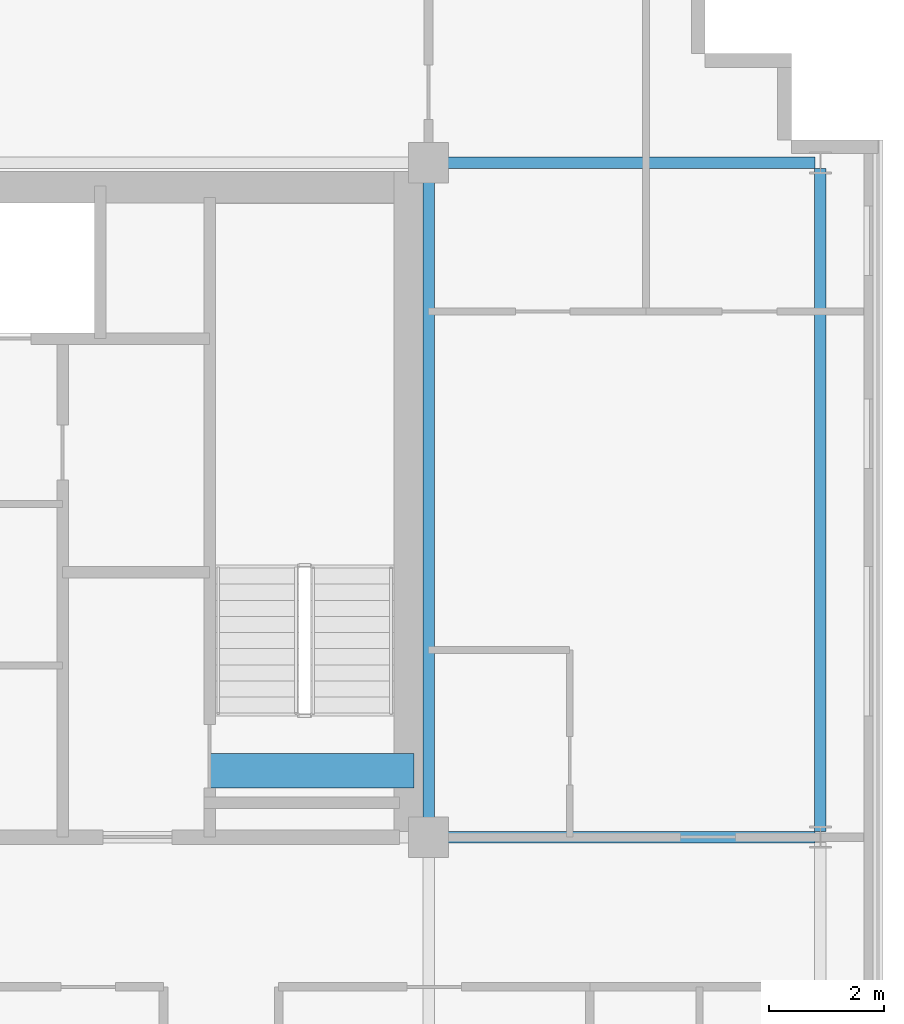
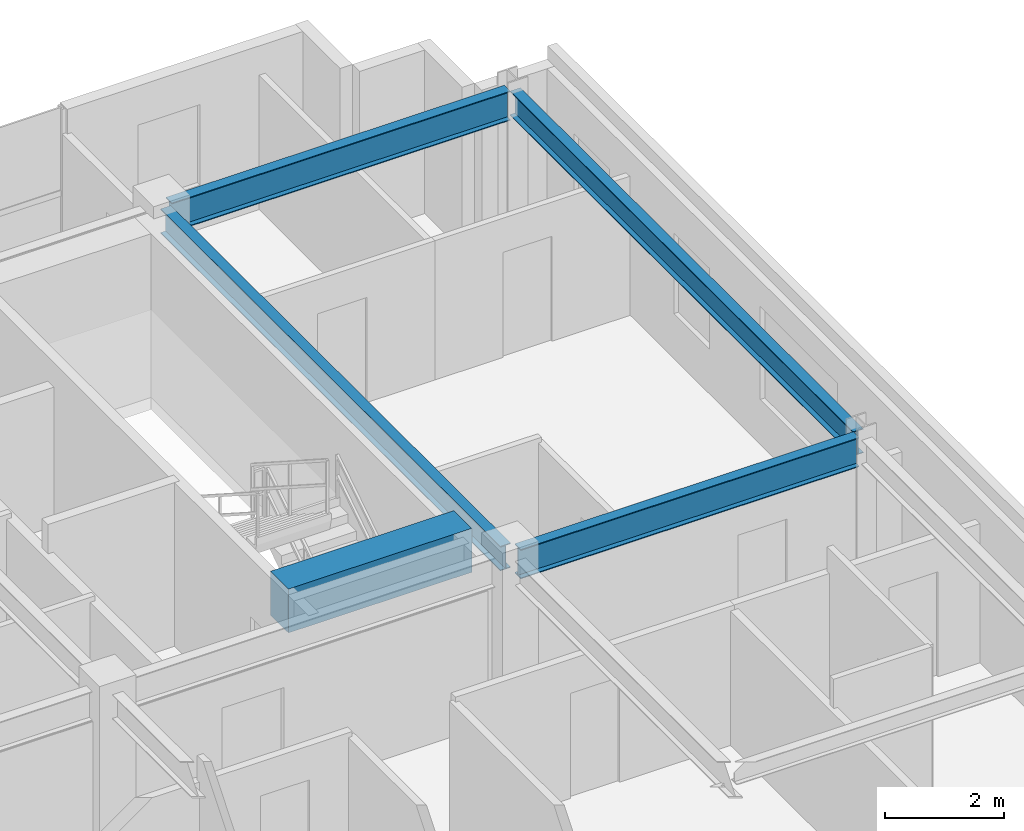
# One storey, part 11 of 21: 5 beams.
"""IFC4 building model written with IfcOpenShell, lengths in metres."""

from ifc_helpers import new_model, si_unit, direction, frame, origin, origin_2d, place, context, subcontext, project, spatial, rectangle, i_section, extrude, source, transform, mapped, material, material_profile, profile_set, type_object, element, save


model = new_model("IFC4")

# Units and contexts
model_context = context("Model", 3, precision=1e-05, world=origin(), true_north=direction((0.0, 1.0)))
body_context = subcontext(model_context, "Body", "Model", "MODEL_VIEW")
ifc_project = project(units=[si_unit("LENGTHUNIT", "METRE"), si_unit("AREAUNIT", "SQUARE_METRE"), si_unit("VOLUMEUNIT", "CUBIC_METRE"), si_unit("PLANEANGLEUNIT", "RADIAN"), si_unit("MASSUNIT", "GRAM", prefix="KILO")], contexts=[model_context])

# Site, building, storey
site_placement = place(None, origin())
site = spatial("IfcSite", under=ifc_project, at=site_placement, CompositionType="ELEMENT")
building_placement = place(site_placement, origin())
building = spatial("IfcBuilding", under=site, at=building_placement, Name="Trelvane Seafront Commons", CompositionType="ELEMENT")
storey_placement = place(building_placement, frame((0.0, 0.0, 153.699951171875)))
storey = spatial("IfcBuildingStorey", under=building, at=storey_placement, Name="L40", CompositionType="ELEMENT", Elevation=153.699951171875)

# Beams
ifc_material_1 = material(Name="Concrete C60/75", Category="concrete")
ifc_material_profile_1 = material_profile(ifc_material_1, rectangle(XDim=0.60009765625, YDim=0.89990234375, at=origin_2d()), Name="RC-600x900")
ifc_profile_set_1 = profile_set([ifc_material_profile_1], Name="Concrete C60/75")
beam_type_1 = type_object("IfcBeamType", Name="STR-LNT-RC600x900", PredefinedType="LINTEL", material=ifc_profile_set_1)
shared_shape_1 = source(origin(), body_context, "Body", "SweptSolid", [
    extrude(rectangle(XDim=0.60009765625, YDim=0.89990234375, at=origin_2d()), origin(), (0.0, 0.0, 1.0), 3.550048828125),
])
beam_1_placement = place(storey_placement, frame((55.0, 34.550048828125, 2.900146484375), z_axis=(1.0, 0.0, 0.0), x_axis=(0.0, 1.0, 0.0)))
element("IfcBeam", 1, at=beam_1_placement, inside=storey, type_object=beam_type_1, Name="L40 Core Coupling Lintel Beam CB-68", PredefinedType="LINTEL", context=body_context, shape_type="MappedRepresentation", body=[
    mapped(shared_shape_1, transform((0.0, 0.0, 0.0), x_axis=(1.0, 0.0, 0.0), y_axis=(0.0, 1.0, 0.0), z_axis=(0.0, 0.0, 1.0), scale=1.0)),
])
ifc_material_2 = material(Name="Steel SM355 (S355)", Category="steel")
ifc_material_profile_2 = material_profile(ifc_material_2, i_section(OverallWidth=0.199951171875, OverallDepth=0.5, WebThickness=0.010009765625, FlangeThickness=0.01611328125, at=origin_2d()), Name="H-500x200x10x16")
ifc_profile_set_2 = profile_set([ifc_material_profile_2], Name="Steel SM355 (S355)")
beam_type_2 = type_object("IfcBeamType", Name="STR-BM-H500", PredefinedType="BEAM", material=ifc_profile_set_2)
shared_shape_2 = source(origin(), body_context, "Body", "SweptSolid", [
    extrude(i_section(OverallWidth=0.199951171875, OverallDepth=0.5, WebThickness=0.010009765625, FlangeThickness=0.01611328125, at=origin_2d()), origin(), (0.0, 0.0, 1.0), 11.39990234375),
])
beam_2_placement = place(storey_placement, frame((58.800048828125, 33.550048828125, 3.10009765625), z_axis=(0.0, 1.0, 0.0), x_axis=(-1.0, 0.0, 0.0)))
element("IfcBeam", 2, at=beam_2_placement, inside=storey, type_object=beam_type_2, Name="L40 Primary Girder G-49", PredefinedType="BEAM", context=body_context, shape_type="MappedRepresentation", body=[
    mapped(shared_shape_2, transform((0.0, 0.0, 0.0), x_axis=(1.0, 0.0, 0.0), y_axis=(0.0, 1.0, 0.0), z_axis=(0.0, 0.0, 1.0), scale=1.0)),
])
ifc_material_profile_3 = material_profile(ifc_material_2, i_section(OverallWidth=0.199951171875, OverallDepth=0.60009765625, WebThickness=0.010986328125, FlangeThickness=0.01708984375, at=origin_2d()), Name="H-600x200x11x17")
ifc_profile_set_3 = profile_set([ifc_material_profile_3], Name="Steel SM355 (S355)")
beam_type_3 = type_object("IfcBeamType", Name="STR-SPD-H600", PredefinedType="SPANDREL", material=ifc_profile_set_3)
shared_shape_3 = source(origin(), body_context, "Body", "SweptSolid", [
    extrude(i_section(OverallWidth=0.199951171875, OverallDepth=0.60009765625, WebThickness=0.010986328125, FlangeThickness=0.01708984375, at=origin_2d()), origin(), (0.0, 0.0, 1.0), 6.554931640625),
])
for number, where, z_axis, x_axis, name in (
    (3, (58.949951171875, 33.39990234375, 3.050048828125), (1.0, 0.0, 0.0), (0.0, 1.0, 0.0), "L40 Primary Girder G-21"),
    (4, (58.949951171875, 45.10009765625, 3.050048828125), (1.0, 0.0, 0.0), (0.0, 1.0, 0.0), "L40 Primary Girder G-28"),
):
    element("IfcBeam", number, at=place(storey_placement, frame(where, z_axis=z_axis, x_axis=x_axis)), inside=storey, type_object=beam_type_3, Name=name, PredefinedType="SPANDREL", context=body_context, shape_type="MappedRepresentation", body=[
        mapped(shared_shape_3, transform((0.0, 0.0, 0.0), x_axis=(1.0, 0.0, 0.0), y_axis=(0.0, 1.0, 0.0), z_axis=(0.0, 0.0, 1.0), scale=1.0)),
    ])
shared_shape_4 = source(origin(), body_context, "Body", "SweptSolid", [
    extrude(i_section(OverallWidth=0.199951171875, OverallDepth=0.5, WebThickness=0.010009765625, FlangeThickness=0.01611328125, at=origin_2d()), origin(), (0.0, 0.0, 1.0), 11.509765625),
])
beam_3_placement = place(storey_placement, frame((65.60009765625, 33.4951171875, 3.10009765625), z_axis=(0.0, 1.0, 0.0), x_axis=(-1.0, 0.0, 0.0)))
element("IfcBeam", 5, at=beam_3_placement, inside=storey, type_object=beam_type_2, Name="L40 Primary Girder G-52", PredefinedType="BEAM", context=body_context, shape_type="MappedRepresentation", body=[
    mapped(shared_shape_4, transform((0.0, 0.0, 0.0), x_axis=(1.0, 0.0, 0.0), y_axis=(0.0, 1.0, 0.0), z_axis=(0.0, 0.0, 1.0), scale=1.0)),
])

save(model, "model.ifc")
